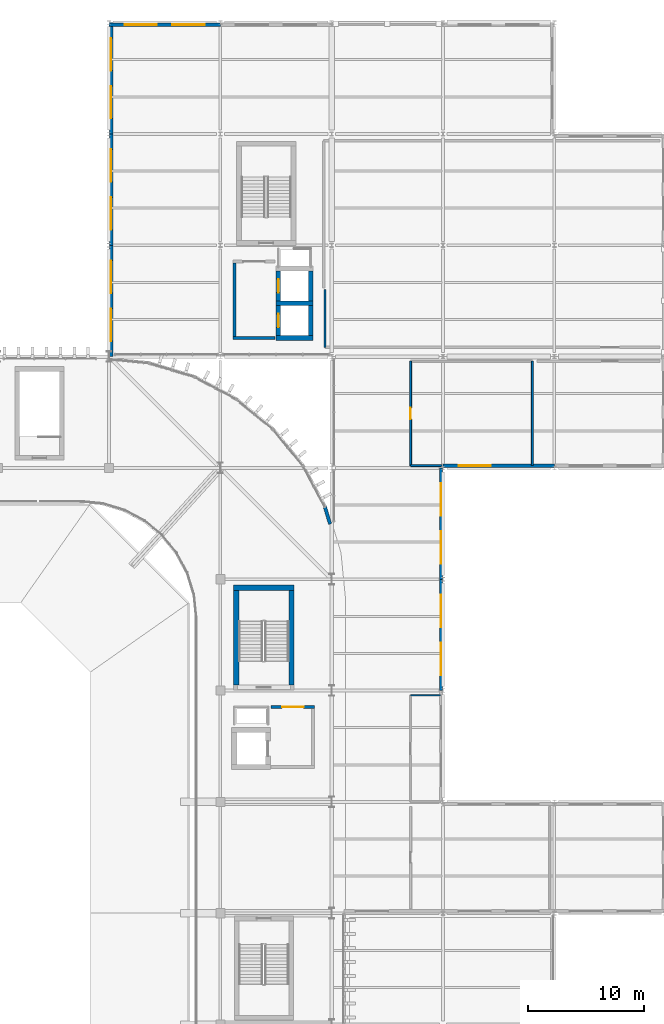
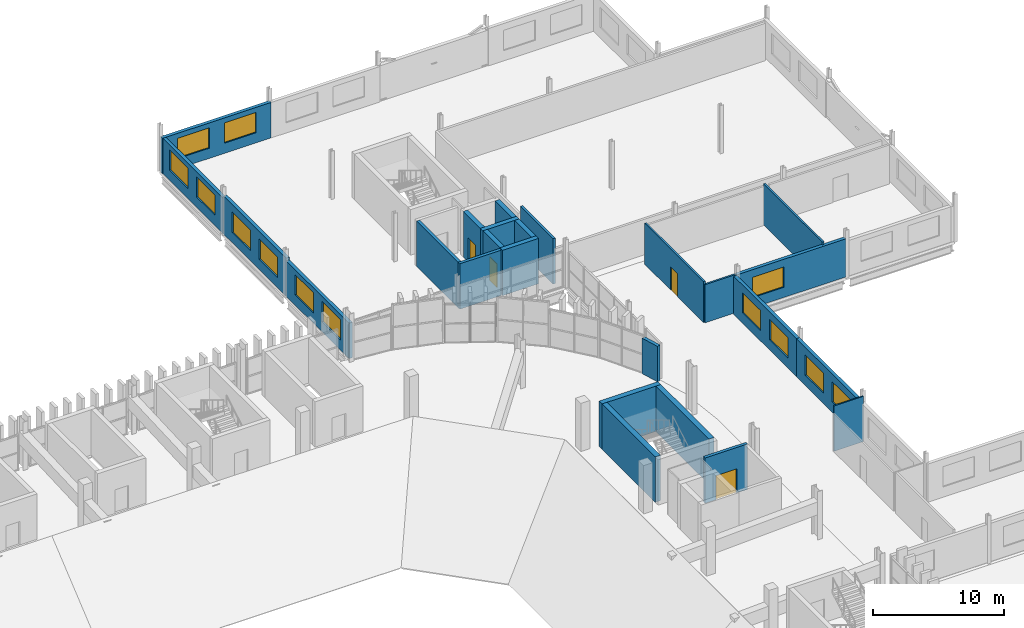
# One storey, part 45 of 69: 25 walls, 13 windows, 4 doors, 17 openings.
"""IFC4 building model written with IfcOpenShell, lengths in metres."""

from ifc_helpers import new_model, si_unit, direction, frame, frame_2d, origin, place, context, subcontext, project, spatial, rectangle, extrude, material, layer, layer_set, type_object, element, fill, save


model = new_model("IFC4")

# Units and contexts
model_context = context("Model", 3, precision=1e-05, world=origin(), true_north=direction((0.0, 1.0)))
body_context = subcontext(model_context, "Body", "Model", "MODEL_VIEW")
ifc_project = project(units=[si_unit("LENGTHUNIT", "METRE"), si_unit("AREAUNIT", "SQUARE_METRE"), si_unit("VOLUMEUNIT", "CUBIC_METRE"), si_unit("PLANEANGLEUNIT", "RADIAN"), si_unit("MASSUNIT", "GRAM", prefix="KILO")], contexts=[model_context])

# Site, building, storey
site_placement = place(None, origin())
site = spatial("IfcSite", under=ifc_project, at=site_placement, CompositionType="ELEMENT")
building_placement = place(site_placement, origin())
building = spatial("IfcBuilding", under=site, at=building_placement, Name="Caelomonte Colonnade Arena", CompositionType="ELEMENT")
storey_placement = place(building_placement, frame((0.0, 0.0, 18.60009765625)))
storey = spatial("IfcBuildingStorey", under=building, at=storey_placement, Name="L04", CompositionType="ELEMENT", Elevation=18.60009765625)

# Wall, openings, windows
ifc_material_1 = material(Name="Precast concrete C40/50", Category="concrete")
ifc_layer_1 = layer(ifc_material_1, 0.2900390625)
ifc_layer_set_1 = layer_set([ifc_layer_1], Name="Precast concrete C40/50")
wall_type_1 = type_object("IfcWallType", Name="ENV-WL-EXT29", PredefinedType="SOLIDWALL", material=ifc_layer_set_1)
wall_1_placement = place(storey_placement, frame((172.6201171875, 86.39990234375, 0.0), z_axis=(0.0, 0.0, 1.0), x_axis=(0.0, 1.0, 0.0)))
wall_1 = element("IfcWall", 1, at=wall_1_placement, inside=storey, type_object=wall_type_1, Name="L04 exterior wall EW-L04-0313", PredefinedType="SOLIDWALL", context=body_context, shape_type="SweptSolid", body=[
    extrude(rectangle(XDim=9.60009765625, YDim=0.2900390625, at=frame_2d((4.800048828125, 0.0))), origin(), (0.0, 0.0, 1.0), 3.561767578125),
])
opening_1_placement = place(wall_1_placement, frame((4.13330078125, 0.0, 0.949951171875), z_axis=(0.0, 0.0, 1.0), x_axis=(-1.0, 0.0, 0.0)))
opening_1 = element("IfcOpeningElement", 2, at=opening_1_placement, cuts=wall_1, Name="Opening WN-07", PredefinedType="OPENING", context=body_context, shape_type="SweptSolid", body=[
    extrude(rectangle(XDim=2.800048828125, YDim=1.89990234375, at=frame_2d((1.39990234375, 0.949951171875))), frame((0.0, 0.155029296875, 0.0), z_axis=(0.0, -1.0, 0.0), x_axis=(1.0, 0.0, 0.0)), (0.0, 0.0, 1.0), 0.31005859375),
])
opening_2_placement = place(wall_1_placement, frame((8.266845703125, 0.0, 0.949951171875), z_axis=(0.0, 0.0, 1.0), x_axis=(-1.0, 0.0, 0.0)))
opening_2 = element("IfcOpeningElement", 3, at=opening_2_placement, cuts=wall_1, Name="Opening WN-07", PredefinedType="OPENING", context=body_context, shape_type="SweptSolid", body=[
    extrude(rectangle(XDim=2.800048828125, YDim=1.89990234375, at=frame_2d((1.39990234375, 0.949951171875))), frame((0.0, 0.155029296875, 0.0), z_axis=(0.0, -1.0, 0.0), x_axis=(1.0, 0.0, 0.0)), (0.0, 0.0, 1.0), 0.31005859375),
])
ifc_material_2 = material(Name="Solar-control bronze low-E double glazing", Category="glass")
window_type = type_object("IfcWindowType", Name="ENV-WN-V4D", PartitioningType="DOUBLE_PANEL_VERTICAL", PredefinedType="WINDOW", material=ifc_material_2)
window_1_placement = place(opening_1_placement, origin())
window_1 = element("IfcWindow", 4, at=window_1_placement, inside=storey, type_object=window_type, Name="L04 facade window 260", OverallHeight=1.89990234375, OverallWidth=2.800048828125, PartitioningType="SINGLE_PANEL", PredefinedType="WINDOW", context=body_context, shape_type="SweptSolid", body=[
    extrude(rectangle(XDim=2.800048828125, YDim=1.89990234375, at=frame_2d((1.39990234375, 0.949951171875))), frame((0.0, 0.030029296875, 0.0), z_axis=(0.0, -1.0, 0.0), x_axis=(1.0, 0.0, 0.0)), (0.0, 0.0, 1.0), 0.06005859375),
])
fill(opening_1, window_1)
window_2_placement = place(opening_2_placement, origin())
window_2 = element("IfcWindow", 5, at=window_2_placement, inside=storey, type_object=window_type, Name="L04 facade window 261", OverallHeight=1.89990234375, OverallWidth=2.800048828125, PartitioningType="SINGLE_PANEL", PredefinedType="WINDOW", context=body_context, shape_type="SweptSolid", body=[
    extrude(rectangle(XDim=2.800048828125, YDim=1.89990234375, at=frame_2d((1.39990234375, 0.949951171875))), frame((0.0, 0.030029296875, 0.0), z_axis=(0.0, -1.0, 0.0), x_axis=(1.0, 0.0, 0.0)), (0.0, 0.0, 1.0), 0.06005859375),
])
fill(opening_2, window_2)

wall_2_placement = place(storey_placement, frame((172.6201171875, 96.0, 0.0), z_axis=(0.0, 0.0, 1.0), x_axis=(0.0, 1.0, 0.0)))
wall_2 = element("IfcWall", 6, at=wall_2_placement, inside=storey, type_object=wall_type_1, Name="L04 exterior wall EW-L04-0314", PredefinedType="SOLIDWALL", context=body_context, shape_type="SweptSolid", body=[
    extrude(rectangle(XDim=9.60009765625, YDim=0.2900390625, at=frame_2d((4.800048828125, 0.0))), origin(), (0.0, 0.0, 1.0), 3.561767578125),
])
opening_3_placement = place(wall_2_placement, frame((4.13330078125, 0.0, 0.949951171875), z_axis=(0.0, 0.0, 1.0), x_axis=(-1.0, 0.0, 0.0)))
opening_3 = element("IfcOpeningElement", 7, at=opening_3_placement, cuts=wall_2, Name="Opening WN-07", PredefinedType="OPENING", context=body_context, shape_type="SweptSolid", body=[
    extrude(rectangle(XDim=2.800048828125, YDim=1.89990234375, at=frame_2d((1.39990234375, 0.949951171875))), frame((0.0, 0.155029296875, 0.0), z_axis=(0.0, -1.0, 0.0), x_axis=(1.0, 0.0, 0.0)), (0.0, 0.0, 1.0), 0.31005859375),
])
opening_4_placement = place(wall_2_placement, frame((8.266845703125, 0.0, 0.949951171875), z_axis=(0.0, 0.0, 1.0), x_axis=(-1.0, 0.0, 0.0)))
opening_4 = element("IfcOpeningElement", 8, at=opening_4_placement, cuts=wall_2, Name="Opening WN-07", PredefinedType="OPENING", context=body_context, shape_type="SweptSolid", body=[
    extrude(rectangle(XDim=2.800048828125, YDim=1.89990234375, at=frame_2d((1.39990234375, 0.949951171875))), frame((0.0, 0.155029296875, 0.0), z_axis=(0.0, -1.0, 0.0), x_axis=(1.0, 0.0, 0.0)), (0.0, 0.0, 1.0), 0.31005859375),
])
window_3_placement = place(opening_3_placement, origin())
window_3 = element("IfcWindow", 9, at=window_3_placement, inside=storey, type_object=window_type, Name="L04 facade window 262", OverallHeight=1.89990234375, OverallWidth=2.800048828125, PartitioningType="SINGLE_PANEL", PredefinedType="WINDOW", context=body_context, shape_type="SweptSolid", body=[
    extrude(rectangle(XDim=2.800048828125, YDim=1.89990234375, at=frame_2d((1.39990234375, 0.949951171875))), frame((0.0, 0.030029296875, 0.0), z_axis=(0.0, -1.0, 0.0), x_axis=(1.0, 0.0, 0.0)), (0.0, 0.0, 1.0), 0.06005859375),
])
fill(opening_3, window_3)
window_4_placement = place(opening_4_placement, origin())
window_4 = element("IfcWindow", 10, at=window_4_placement, inside=storey, type_object=window_type, Name="L04 facade window 263", OverallHeight=1.89990234375, OverallWidth=2.800048828125, PartitioningType="SINGLE_PANEL", PredefinedType="WINDOW", context=body_context, shape_type="SweptSolid", body=[
    extrude(rectangle(XDim=2.800048828125, YDim=1.89990234375, at=frame_2d((1.39990234375, 0.949951171875))), frame((0.0, 0.030029296875, 0.0), z_axis=(0.0, -1.0, 0.0), x_axis=(1.0, 0.0, 0.0)), (0.0, 0.0, 1.0), 0.06005859375),
])
fill(opening_4, window_4)

# Wall, opening, window
wall_3_placement = place(storey_placement, frame((172.800048828125, 105.780029296875, 0.0), z_axis=(0.0, 0.0, 1.0), x_axis=(1.0, 0.0, 0.0)))
wall_3 = element("IfcWall", 11, at=wall_3_placement, inside=storey, type_object=wall_type_1, Name="L04 exterior wall EW-L04-0315", PredefinedType="SOLIDWALL", context=body_context, shape_type="SweptSolid", body=[
    extrude(rectangle(XDim=9.599853515625, YDim=0.2900390625, at=frame_2d((4.7998046875, 0.0))), origin(), (0.0, 0.0, 1.0), 3.561767578125),
])
opening_5_placement = place(wall_3_placement, frame((4.13330078125, 0.0, 0.949951171875), z_axis=(0.0, 0.0, 1.0), x_axis=(-1.0, 0.0, 0.0)))
opening_5 = element("IfcOpeningElement", 12, at=opening_5_placement, cuts=wall_3, Name="Opening WN-07", PredefinedType="OPENING", context=body_context, shape_type="SweptSolid", body=[
    extrude(rectangle(XDim=2.800048828125, YDim=1.89990234375, at=frame_2d((1.39990234375, 0.949951171875))), frame((0.0, 0.155029296875, 0.0), z_axis=(0.0, -1.0, 0.0), x_axis=(1.0, 0.0, 0.0)), (0.0, 0.0, 1.0), 0.31005859375),
])
window_5_placement = place(opening_5_placement, origin())
window_5 = element("IfcWindow", 13, at=window_5_placement, inside=storey, type_object=window_type, Name="L04 facade window 264", OverallHeight=1.89990234375, OverallWidth=2.800048828125, PartitioningType="SINGLE_PANEL", PredefinedType="WINDOW", context=body_context, shape_type="SweptSolid", body=[
    extrude(rectangle(XDim=2.800048828125, YDim=1.89990234375, at=frame_2d((1.39990234375, 0.949951171875))), frame((0.0, 0.030029296875, 0.0), z_axis=(0.0, -1.0, 0.0), x_axis=(1.0, 0.0, 0.0)), (0.0, 0.0, 1.0), 0.06005859375),
])
fill(opening_5, window_5)

# Wall, openings, windows
wall_4_placement = place(storey_placement, frame((153.60009765625, 143.820068359375, 0.0), z_axis=(0.0, 0.0, 1.0), x_axis=(-1.0, 0.0, 0.0)))
wall_4 = element("IfcWall", 14, at=wall_4_placement, inside=storey, type_object=wall_type_1, Name="L04 exterior wall EW-L04-0325", PredefinedType="SOLIDWALL", context=body_context, shape_type="SweptSolid", body=[
    extrude(rectangle(XDim=9.60009765625, YDim=0.2900390625, at=frame_2d((4.800048828125, 0.0))), origin(), (0.0, 0.0, 1.0), 3.312744140625),
])
opening_6_placement = place(wall_4_placement, frame((4.13330078125, 0.0, 0.949951171875), z_axis=(0.0, 0.0, 1.0), x_axis=(-1.0, 0.0, 0.0)))
opening_6 = element("IfcOpeningElement", 15, at=opening_6_placement, cuts=wall_4, Name="Opening WN-07", PredefinedType="OPENING", context=body_context, shape_type="SweptSolid", body=[
    extrude(rectangle(XDim=2.800048828125, YDim=1.89990234375, at=frame_2d((1.39990234375, 0.949951171875))), frame((0.0, 0.155029296875, 0.0), z_axis=(0.0, -1.0, 0.0), x_axis=(1.0, 0.0, 0.0)), (0.0, 0.0, 1.0), 0.31005859375),
])
opening_7_placement = place(wall_4_placement, frame((8.266845703125, 0.0, 0.949951171875), z_axis=(0.0, 0.0, 1.0), x_axis=(-1.0, 0.0, 0.0)))
opening_7 = element("IfcOpeningElement", 16, at=opening_7_placement, cuts=wall_4, Name="Opening WN-07", PredefinedType="OPENING", context=body_context, shape_type="SweptSolid", body=[
    extrude(rectangle(XDim=2.800048828125, YDim=1.89990234375, at=frame_2d((1.39990234375, 0.949951171875))), frame((0.0, 0.155029296875, 0.0), z_axis=(0.0, -1.0, 0.0), x_axis=(1.0, 0.0, 0.0)), (0.0, 0.0, 1.0), 0.31005859375),
])
window_6_placement = place(opening_6_placement, origin())
window_6 = element("IfcWindow", 17, at=window_6_placement, inside=storey, type_object=window_type, Name="L04 facade window 279", OverallHeight=1.89990234375, OverallWidth=2.800048828125, PartitioningType="SINGLE_PANEL", PredefinedType="WINDOW", context=body_context, shape_type="SweptSolid", body=[
    extrude(rectangle(XDim=2.800048828125, YDim=1.89990234375, at=frame_2d((1.39990234375, 0.949951171875))), frame((0.0, 0.030029296875, 0.0), z_axis=(0.0, -1.0, 0.0), x_axis=(1.0, 0.0, 0.0)), (0.0, 0.0, 1.0), 0.06005859375),
])
fill(opening_6, window_6)
window_7_placement = place(opening_7_placement, origin())
window_7 = element("IfcWindow", 18, at=window_7_placement, inside=storey, type_object=window_type, Name="L04 facade window 280", OverallHeight=1.89990234375, OverallWidth=2.800048828125, PartitioningType="SINGLE_PANEL", PredefinedType="WINDOW", context=body_context, shape_type="SweptSolid", body=[
    extrude(rectangle(XDim=2.800048828125, YDim=1.89990234375, at=frame_2d((1.39990234375, 0.949951171875))), frame((0.0, 0.030029296875, 0.0), z_axis=(0.0, -1.0, 0.0), x_axis=(1.0, 0.0, 0.0)), (0.0, 0.0, 1.0), 0.06005859375),
])
fill(opening_7, window_7)

wall_5_placement = place(storey_placement, frame((144.179931640625, 144.0, 0.0), z_axis=(0.0, 0.0, 1.0), x_axis=(0.0, -1.0, 0.0)))
wall_5 = element("IfcWall", 19, at=wall_5_placement, inside=storey, type_object=wall_type_1, Name="L04 exterior wall EW-L04-0326", PredefinedType="SOLIDWALL", context=body_context, shape_type="SweptSolid", body=[
    extrude(rectangle(XDim=9.60009765625, YDim=0.2900390625, at=frame_2d((4.800048828125, 0.0))), origin(), (0.0, 0.0, 1.0), 3.312744140625),
])
opening_8_placement = place(wall_5_placement, frame((4.13330078125, 0.0, 0.949951171875), z_axis=(0.0, 0.0, 1.0), x_axis=(-1.0, 0.0, 0.0)))
opening_8 = element("IfcOpeningElement", 20, at=opening_8_placement, cuts=wall_5, Name="Opening WN-07", PredefinedType="OPENING", context=body_context, shape_type="SweptSolid", body=[
    extrude(rectangle(XDim=2.800048828125, YDim=1.89990234375, at=frame_2d((1.39990234375, 0.949951171875))), frame((0.0, 0.155029296875, 0.0), z_axis=(0.0, -1.0, 0.0), x_axis=(1.0, 0.0, 0.0)), (0.0, 0.0, 1.0), 0.31005859375),
])
opening_9_placement = place(wall_5_placement, frame((8.266845703125, 0.0, 0.949951171875), z_axis=(0.0, 0.0, 1.0), x_axis=(-1.0, 0.0, 0.0)))
opening_9 = element("IfcOpeningElement", 21, at=opening_9_placement, cuts=wall_5, Name="Opening WN-07", PredefinedType="OPENING", context=body_context, shape_type="SweptSolid", body=[
    extrude(rectangle(XDim=2.800048828125, YDim=1.89990234375, at=frame_2d((1.39990234375, 0.949951171875))), frame((0.0, 0.155029296875, 0.0), z_axis=(0.0, -1.0, 0.0), x_axis=(1.0, 0.0, 0.0)), (0.0, 0.0, 1.0), 0.31005859375),
])
window_8_placement = place(opening_8_placement, origin())
window_8 = element("IfcWindow", 22, at=window_8_placement, inside=storey, type_object=window_type, Name="L04 facade window 281", OverallHeight=1.89990234375, OverallWidth=2.800048828125, PartitioningType="SINGLE_PANEL", PredefinedType="WINDOW", context=body_context, shape_type="SweptSolid", body=[
    extrude(rectangle(XDim=2.800048828125, YDim=1.89990234375, at=frame_2d((1.39990234375, 0.949951171875))), frame((0.0, 0.030029296875, 0.0), z_axis=(0.0, -1.0, 0.0), x_axis=(1.0, 0.0, 0.0)), (0.0, 0.0, 1.0), 0.06005859375),
])
fill(opening_8, window_8)
window_9_placement = place(opening_9_placement, origin())
window_9 = element("IfcWindow", 23, at=window_9_placement, inside=storey, type_object=window_type, Name="L04 facade window 282", OverallHeight=1.89990234375, OverallWidth=2.800048828125, PartitioningType="SINGLE_PANEL", PredefinedType="WINDOW", context=body_context, shape_type="SweptSolid", body=[
    extrude(rectangle(XDim=2.800048828125, YDim=1.89990234375, at=frame_2d((1.39990234375, 0.949951171875))), frame((0.0, 0.030029296875, 0.0), z_axis=(0.0, -1.0, 0.0), x_axis=(1.0, 0.0, 0.0)), (0.0, 0.0, 1.0), 0.06005859375),
])
fill(opening_9, window_9)

wall_6_placement = place(storey_placement, frame((144.179931640625, 134.39990234375, 0.0), z_axis=(0.0, 0.0, 1.0), x_axis=(0.0, -1.0, 0.0)))
wall_6 = element("IfcWall", 24, at=wall_6_placement, inside=storey, type_object=wall_type_1, Name="L04 exterior wall EW-L04-0327", PredefinedType="SOLIDWALL", context=body_context, shape_type="SweptSolid", body=[
    extrude(rectangle(XDim=9.599853515625, YDim=0.2900390625, at=frame_2d((4.7998046875, 0.0))), origin(), (0.0, 0.0, 1.0), 3.561767578125),
])
opening_10_placement = place(wall_6_placement, frame((4.13330078125, 0.0, 0.949951171875), z_axis=(0.0, 0.0, 1.0), x_axis=(-1.0, 0.0, 0.0)))
opening_10 = element("IfcOpeningElement", 25, at=opening_10_placement, cuts=wall_6, Name="Opening WN-07", PredefinedType="OPENING", context=body_context, shape_type="SweptSolid", body=[
    extrude(rectangle(XDim=2.800048828125, YDim=1.89990234375, at=frame_2d((1.39990234375, 0.949951171875))), frame((0.0, 0.155029296875, 0.0), z_axis=(0.0, -1.0, 0.0), x_axis=(1.0, 0.0, 0.0)), (0.0, 0.0, 1.0), 0.31005859375),
])
opening_11_placement = place(wall_6_placement, frame((8.266845703125, 0.0, 0.949951171875), z_axis=(0.0, 0.0, 1.0), x_axis=(-1.0, 0.0, 0.0)))
opening_11 = element("IfcOpeningElement", 26, at=opening_11_placement, cuts=wall_6, Name="Opening WN-07", PredefinedType="OPENING", context=body_context, shape_type="SweptSolid", body=[
    extrude(rectangle(XDim=2.800048828125, YDim=1.89990234375, at=frame_2d((1.39990234375, 0.949951171875))), frame((0.0, 0.155029296875, 0.0), z_axis=(0.0, -1.0, 0.0), x_axis=(1.0, 0.0, 0.0)), (0.0, 0.0, 1.0), 0.31005859375),
])
window_10_placement = place(opening_10_placement, origin())
window_10 = element("IfcWindow", 27, at=window_10_placement, inside=storey, type_object=window_type, Name="L04 facade window 283", OverallHeight=1.89990234375, OverallWidth=2.800048828125, PartitioningType="SINGLE_PANEL", PredefinedType="WINDOW", context=body_context, shape_type="SweptSolid", body=[
    extrude(rectangle(XDim=2.800048828125, YDim=1.89990234375, at=frame_2d((1.39990234375, 0.949951171875))), frame((0.0, 0.030029296875, 0.0), z_axis=(0.0, -1.0, 0.0), x_axis=(1.0, 0.0, 0.0)), (0.0, 0.0, 1.0), 0.06005859375),
])
fill(opening_10, window_10)
window_11_placement = place(opening_11_placement, origin())
window_11 = element("IfcWindow", 28, at=window_11_placement, inside=storey, type_object=window_type, Name="L04 facade window 284", OverallHeight=1.89990234375, OverallWidth=2.800048828125, PartitioningType="SINGLE_PANEL", PredefinedType="WINDOW", context=body_context, shape_type="SweptSolid", body=[
    extrude(rectangle(XDim=2.800048828125, YDim=1.89990234375, at=frame_2d((1.39990234375, 0.949951171875))), frame((0.0, 0.030029296875, 0.0), z_axis=(0.0, -1.0, 0.0), x_axis=(1.0, 0.0, 0.0)), (0.0, 0.0, 1.0), 0.06005859375),
])
fill(opening_11, window_11)

wall_7_placement = place(storey_placement, frame((144.179931640625, 124.800048828125, 0.0), z_axis=(0.0, 0.0, 1.0), x_axis=(0.0, -1.0, 0.0)))
wall_7 = element("IfcWall", 29, at=wall_7_placement, inside=storey, type_object=wall_type_1, Name="L04 exterior wall EW-L04-0328", PredefinedType="SOLIDWALL", context=body_context, shape_type="SweptSolid", body=[
    extrude(rectangle(XDim=9.60009765625, YDim=0.2900390625, at=frame_2d((4.800048828125, 0.0))), origin(), (0.0, 0.0, 1.0), 3.312744140625),
])
opening_12_placement = place(wall_7_placement, frame((4.13330078125, 0.0, 0.949951171875), z_axis=(0.0, 0.0, 1.0), x_axis=(-1.0, 0.0, 0.0)))
opening_12 = element("IfcOpeningElement", 30, at=opening_12_placement, cuts=wall_7, Name="Opening WN-07", PredefinedType="OPENING", context=body_context, shape_type="SweptSolid", body=[
    extrude(rectangle(XDim=2.800048828125, YDim=1.89990234375, at=frame_2d((1.39990234375, 0.949951171875))), frame((0.0, 0.155029296875, 0.0), z_axis=(0.0, -1.0, 0.0), x_axis=(1.0, 0.0, 0.0)), (0.0, 0.0, 1.0), 0.31005859375),
])
opening_13_placement = place(wall_7_placement, frame((8.266845703125, 0.0, 0.949951171875), z_axis=(0.0, 0.0, 1.0), x_axis=(-1.0, 0.0, 0.0)))
opening_13 = element("IfcOpeningElement", 31, at=opening_13_placement, cuts=wall_7, Name="Opening WN-07", PredefinedType="OPENING", context=body_context, shape_type="SweptSolid", body=[
    extrude(rectangle(XDim=2.800048828125, YDim=1.89990234375, at=frame_2d((1.39990234375, 0.949951171875))), frame((0.0, 0.155029296875, 0.0), z_axis=(0.0, -1.0, 0.0), x_axis=(1.0, 0.0, 0.0)), (0.0, 0.0, 1.0), 0.31005859375),
])
window_12_placement = place(opening_12_placement, origin())
window_12 = element("IfcWindow", 32, at=window_12_placement, inside=storey, type_object=window_type, Name="L04 facade window 285", OverallHeight=1.89990234375, OverallWidth=2.800048828125, PartitioningType="SINGLE_PANEL", PredefinedType="WINDOW", context=body_context, shape_type="SweptSolid", body=[
    extrude(rectangle(XDim=2.800048828125, YDim=1.89990234375, at=frame_2d((1.39990234375, 0.949951171875))), frame((0.0, 0.030029296875, 0.0), z_axis=(0.0, -1.0, 0.0), x_axis=(1.0, 0.0, 0.0)), (0.0, 0.0, 1.0), 0.06005859375),
])
fill(opening_12, window_12)
window_13_placement = place(opening_13_placement, origin())
window_13 = element("IfcWindow", 33, at=window_13_placement, inside=storey, type_object=window_type, Name="L04 facade window 286", OverallHeight=1.89990234375, OverallWidth=2.800048828125, PartitioningType="SINGLE_PANEL", PredefinedType="WINDOW", context=body_context, shape_type="SweptSolid", body=[
    extrude(rectangle(XDim=2.800048828125, YDim=1.89990234375, at=frame_2d((1.39990234375, 0.949951171875))), frame((0.0, 0.030029296875, 0.0), z_axis=(0.0, -1.0, 0.0), x_axis=(1.0, 0.0, 0.0)), (0.0, 0.0, 1.0), 0.06005859375),
])
fill(opening_13, window_13)

# Wall
wall_8_placement = place(storey_placement, frame((163.06201171875, 100.75732421875, 0.0), z_axis=(0.0, 0.0, 1.0), x_axis=(-0.290196653702, 0.956967032964, 0.0)))
element("IfcWall", 34, at=wall_8_placement, inside=storey, type_object=wall_type_1, Name="L04 exterior wall EW-L04-0329", PredefinedType="SOLIDWALL", context=body_context, shape_type="SweptSolid", body=[
    extrude(rectangle(XDim=1.611083984375, YDim=0.2900390625, at=frame_2d((0.8056640625, 0.0))), origin(), (0.0, 0.0, 1.0), 3.312744140625),
])

# Wall, opening, door
ifc_material_3 = material(Name="Concrete C40/50", Category="concrete")
ifc_layer_2 = layer(ifc_material_3, 0.260009765625)
ifc_layer_set_2 = layer_set([ifc_layer_2], Name="Concrete C40/50")
wall_type_2 = type_object("IfcWallType", Name="INT-WL-FW26", PredefinedType="SOLIDWALL", material=ifc_layer_set_2)
wall_9_placement = place(storey_placement, frame((161.72998046875, 85.0, 0.0), z_axis=(0.0, 0.0, 1.0), x_axis=(-1.0, 0.0, 0.0)))
wall_9 = element("IfcWall", 35, at=wall_9_placement, inside=storey, type_object=wall_type_2, Name="FW-C3-LB L04 north enclosure wall", PredefinedType="SOLIDWALL", context=body_context, shape_type="SweptSolid", body=[
    extrude(rectangle(XDim=3.760009765625, YDim=0.260009765625, at=frame_2d((1.8798828125, 0.0))), origin(), (0.0, 0.0, 1.0), 4.239990234375),
])
opening_14_placement = place(wall_9_placement, frame((2.80517578125, 0.0, 0.0), z_axis=(0.0, 0.0, 1.0), x_axis=(-1.0, 0.0, 0.0)))
opening_14 = element("IfcOpeningElement", 36, at=opening_14_placement, cuts=wall_9, Name="Opening FD-2", PredefinedType="OPENING", context=body_context, shape_type="SweptSolid", body=[
    extrude(rectangle(XDim=1.85009765625, YDim=2.25, at=frame_2d((0.925048828125, 1.125))), frame((0.0, 0.139892578125, 0.0), z_axis=(0.0, -1.0, 0.0), x_axis=(1.0, 0.0, 0.0)), (0.0, 0.0, 1.0), 0.280029296875),
])
ifc_material_4 = material(Name="Fire-rated double steel door", Category="steel")
door_type_1 = type_object("IfcDoorType", Name="INT-DR-FD90B", OperationType="DOUBLE_DOOR_SINGLE_SWING", PredefinedType="DOOR", material=ifc_material_4)
door_1_placement = place(opening_14_placement, origin())
door_1 = element("IfcDoor", 37, at=door_1_placement, inside=storey, type_object=door_type_1, Name="Core C3 L04 lobby fire door", OperationType="DOUBLE_DOOR_SINGLE_SWING", OverallHeight=2.25, OverallWidth=1.85009765625, PredefinedType="DOOR", context=body_context, shape_type="SweptSolid", body=[
    extrude(rectangle(XDim=1.85009765625, YDim=2.25, at=frame_2d((0.925048828125, 1.125))), frame((0.0, 0.02490234375, 0.0), z_axis=(0.0, -1.0, 0.0), x_axis=(1.0, 0.0, 0.0)), (0.0, 0.0, 1.0), 0.050048828125),
])
fill(opening_14, door_1)

# Walls
wall_10_placement = place(storey_placement, frame((154.669921875, 116.800048828125, 0.0), z_axis=(0.0, 0.0, 1.0), x_axis=(1.0, 0.0, 0.0)))
element("IfcWall", 38, at=wall_10_placement, inside=storey, type_object=wall_type_2, Name="FW-C6-LB L04 south enclosure wall", PredefinedType="SOLIDWALL", context=body_context, shape_type="SweptSolid", body=[
    extrude(rectangle(XDim=3.66015625, YDim=0.260009765625, at=frame_2d((1.830078125, 0.0))), origin(), (0.0, 0.0, 1.0), 4.239990234375),
])
wall_11_placement = place(storey_placement, frame((154.800048828125, 123.27001953125, 0.0), z_axis=(0.0, 0.0, 1.0), x_axis=(0.0, -1.0, 0.0)))
element("IfcWall", 39, at=wall_11_placement, inside=storey, type_object=wall_type_2, Name="FW-C6-LB L04 west enclosure wall", PredefinedType="SOLIDWALL", context=body_context, shape_type="SweptSolid", body=[
    extrude(rectangle(XDim=6.340087890625, YDim=0.260009765625, at=frame_2d((3.169921875, 0.0))), origin(), (0.0, 0.0, 1.0), 4.239990234375),
])
ifc_material_5 = material(Name="Office gypsum stud partition")
ifc_layer_3 = layer(ifc_material_5, 0.1201171875)
ifc_layer_set_3 = layer_set([ifc_layer_3], Name="Office gypsum stud partition")
wall_type_3 = type_object("IfcWallType", Name="INT-WL-PT12", PredefinedType="PARTITIONING", material=ifc_layer_set_3)
wall_12_placement = place(storey_placement, frame((170.0, 86.0, 0.0), z_axis=(0.0, 0.0, 1.0), x_axis=(1.0, 0.0, 0.0)))
element("IfcWall", 40, at=wall_12_placement, inside=storey, type_object=wall_type_3, Name="L04 Upper Concession Kiosk partition 253", PredefinedType="PARTITIONING", context=body_context, shape_type="SweptSolid", body=[
    extrude(rectangle(XDim=2.580078125, YDim=0.1201171875, at=frame_2d((1.2900390625, 0.0))), origin(), (0.0, 0.0, 1.0), 4.239990234375),
])
ifc_material_6 = material(Name="Moisture-resistant WC partition")
ifc_layer_4 = layer(ifc_material_6, 0.159912109375)
ifc_layer_set_4 = layer_set([ifc_layer_4], Name="Moisture-resistant WC partition")
wall_type_4 = type_object("IfcWallType", Name="INT-WL-PT16", PredefinedType="PARTITIONING", material=ifc_layer_set_4)
wall_13_placement = place(storey_placement, frame((172.708984375, 105.800048828125, 0.0), z_axis=(0.0, 0.0, 1.0), x_axis=(-1.0, 0.0, 0.0)))
element("IfcWall", 41, at=wall_13_placement, inside=storey, type_object=wall_type_4, Name="L04 Upper Concourse Accessible WC partition 247", PredefinedType="PARTITIONING", context=body_context, shape_type="SweptSolid", body=[
    extrude(rectangle(XDim=2.708984375, YDim=0.159912109375, at=frame_2d((1.3544921875, 0.0))), origin(), (0.0, 0.0, 1.0), 3.561767578125),
])

# Wall, opening, door
wall_14_placement = place(storey_placement, frame((170.0, 105.800048828125, 0.0), z_axis=(0.0, 0.0, 1.0), x_axis=(0.0, 1.0, 0.0)))
wall_14 = element("IfcWall", 42, at=wall_14_placement, inside=storey, type_object=wall_type_4, Name="L04 Upper Concourse Accessible WC partition 248", PredefinedType="PARTITIONING", context=body_context, shape_type="SweptSolid", body=[
    extrude(rectangle(XDim=9.0, YDim=0.159912109375, at=frame_2d((4.5, 0.0))), origin(), (0.0, 0.0, 1.0), 3.8359375),
])
opening_15_placement = place(wall_14_placement, frame((3.989990234375, 0.0, 0.0), z_axis=(0.0, 0.0, 1.0), x_axis=(1.0, 0.0, 0.0)))
opening_15 = element("IfcOpeningElement", 43, at=opening_15_placement, cuts=wall_14, Name="Opening D-L04-068", PredefinedType="OPENING", context=body_context, shape_type="SweptSolid", body=[
    extrude(rectangle(XDim=1.02001953125, YDim=2.14990234375, at=frame_2d((0.510009765625, 1.074951171875))), frame((0.0, 0.08984375, 0.0), z_axis=(0.0, -1.0, 0.0), x_axis=(1.0, 0.0, 0.0)), (0.0, 0.0, 1.0), 0.179931640625),
])
ifc_material_7 = material(Name="Accessible WC outward-swing door")
door_type_2 = type_object("IfcDoorType", Name="INT-DR-AWC", OperationType="NOTDEFINED", PredefinedType="DOOR", material=ifc_material_7)
door_2_placement = place(opening_15_placement, origin())
door_2 = element("IfcDoor", 44, at=door_2_placement, inside=storey, type_object=door_type_2, Name="L04 Upper Concourse Accessible WC door D-L04-068", OperationType="SINGLE_SWING_RIGHT", OverallHeight=2.14990234375, OverallWidth=1.02001953125, PredefinedType="DOOR", context=body_context, shape_type="SweptSolid", body=[
    extrude(rectangle(XDim=1.02001953125, YDim=2.14990234375, at=frame_2d((0.510009765625, 1.074951171875))), frame((0.0, 0.02490234375, 0.0), z_axis=(0.0, -1.0, 0.0), x_axis=(1.0, 0.0, 0.0)), (0.0, 0.0, 1.0), 0.050048828125),
])
fill(opening_15, door_2)

# Walls
wall_15_placement = place(storey_placement, frame((180.5, 114.800048828125, 0.0), z_axis=(0.0, 0.0, 1.0), x_axis=(0.0, -1.0, 0.0)))
element("IfcWall", 45, at=wall_15_placement, inside=storey, type_object=wall_type_4, Name="L04 Upper Concourse Accessible WC partition 250", PredefinedType="PARTITIONING", context=body_context, shape_type="SweptSolid", body=[
    extrude(rectangle(XDim=8.97998046875, YDim=0.159912109375, at=frame_2d((4.489990234375, 0.0))), origin(), (0.0, 0.0, 1.0), 3.8359375),
])
ifc_material_8 = material(Name="Fire-rated gypsum stud partition")
ifc_layer_5 = layer(ifc_material_8, 0.199951171875)
ifc_layer_set_5 = layer_set([ifc_layer_5], Name="Fire-rated gypsum stud partition")
wall_type_5 = type_object("IfcWallType", Name="INT-WL-PT20", PredefinedType="PARTITIONING", material=ifc_layer_set_5)
wall_16_placement = place(storey_placement, frame((162.6201171875, 116.0, 0.0), z_axis=(0.0, 0.0, 1.0), x_axis=(0.0, 1.0, 0.0)))
element("IfcWall", 46, at=wall_16_placement, inside=storey, type_object=wall_type_5, Name="L04 Upper Courtyard Fan Lounge partition 243", PredefinedType="PARTITIONING", context=body_context, shape_type="SweptSolid", body=[
    extrude(rectangle(XDim=5.0, YDim=0.199951171875, at=frame_2d((2.5, 0.0))), origin(), (0.0, 0.0, 1.0), 4.239990234375),
])
ifc_material_9 = material(Name="Concrete C50/60", Category="concrete")
ifc_layer_6 = layer(ifc_material_9, 0.39990234375)
ifc_layer_set_6 = layer_set([ifc_layer_6], Name="Concrete C50/60")
wall_type_6 = type_object("IfcWallType", Name="INT-WL-SH40", PredefinedType="SHEAR", material=ifc_layer_set_6)
for number, where, z_axis, x_axis, name in (
    (47, (158.39990234375, 116.800048828125, 0.0), (0.0, 0.0, 1.0), (1.0, 0.0, 0.0), "CW-C6-LF L04 south enclosure wall"),
    (48, (161.60009765625, 119.800048828125, 0.0), (0.0, 0.0, 1.0), (-1.0, 0.0, 0.0), "CW-C6-LF L04 north enclosure wall"),
):
    element("IfcWall", number, at=place(storey_placement, frame(where, z_axis=z_axis, x_axis=x_axis)), inside=storey, type_object=wall_type_6, Name=name, PredefinedType="SHEAR", context=body_context, shape_type="SweptSolid", body=[
        extrude(rectangle(XDim=3.2001953125, YDim=0.39990234375, at=frame_2d((1.60009765625, 0.0))), origin(), (0.0, 0.0, 1.0), 4.239990234375),
    ])

# Wall, opening, door
wall_17_placement = place(storey_placement, frame((158.60009765625, 119.60009765625, 0.0), z_axis=(0.0, 0.0, 1.0), x_axis=(0.0, -1.0, 0.0)))
wall_17 = element("IfcWall", 49, at=wall_17_placement, inside=storey, type_object=wall_type_6, Name="CW-C6-LF L04 west enclosure wall", PredefinedType="SHEAR", context=body_context, shape_type="SweptSolid", body=[
    extrude(rectangle(XDim=2.60009765625, YDim=0.39990234375, at=frame_2d((1.300048828125, 0.0))), origin(), (0.0, 0.0, 1.0), 4.239990234375),
])
opening_16_placement = place(wall_17_placement, frame((0.72509765625, 0.0, 0.0), z_axis=(0.0, 0.0, 1.0), x_axis=(1.0, 0.0, 0.0)))
opening_16 = element("IfcOpeningElement", 50, at=opening_16_placement, cuts=wall_17, Name="Opening LD-LF-03-L04", PredefinedType="OPENING", context=body_context, shape_type="SweptSolid", body=[
    extrude(rectangle(XDim=1.14990234375, YDim=2.199951171875, at=frame_2d((0.574951171875, 1.10009765625))), frame((0.0, 0.2099609375, 0.0), z_axis=(0.0, -1.0, 0.0), x_axis=(1.0, 0.0, 0.0)), (0.0, 0.0, 1.0), 0.419921875),
])
ifc_material_10 = material(Name="Stainless steel lift landing door", Category="steel")
door_type_3 = type_object("IfcDoorType", Name="INT-DR-LD1", OperationType="SLIDING_TO_LEFT", PredefinedType="DOOR", material=ifc_material_10)
door_3_placement = place(opening_16_placement, origin())
door_3 = element("IfcDoor", 51, at=door_3_placement, inside=storey, type_object=door_type_3, Name="Lift LF-03 L04 sliding landing door", OperationType="SLIDING_TO_LEFT", OverallHeight=2.199951171875, OverallWidth=1.14990234375, PredefinedType="DOOR", context=body_context, shape_type="SweptSolid", body=[
    extrude(rectangle(XDim=1.14990234375, YDim=2.199951171875, at=frame_2d((0.574951171875, 1.10009765625))), frame((0.0, 0.02490234375, 0.0), z_axis=(0.0, -1.0, 0.0), x_axis=(1.0, 0.0, 0.0)), (0.0, 0.0, 1.0), 0.050048828125),
])
fill(opening_16, door_3)

# Wall
wall_18_placement = place(storey_placement, frame((161.39990234375, 117.0, 0.0), z_axis=(0.0, 0.0, 1.0), x_axis=(0.0, 1.0, 0.0)))
element("IfcWall", 52, at=wall_18_placement, inside=storey, type_object=wall_type_6, Name="CW-C6-LF L04 east enclosure wall", PredefinedType="SHEAR", context=body_context, shape_type="SweptSolid", body=[
    extrude(rectangle(XDim=2.60009765625, YDim=0.39990234375, at=frame_2d((1.300048828125, 0.0))), origin(), (0.0, 0.0, 1.0), 4.239990234375),
])

# Wall, opening, door
wall_19_placement = place(storey_placement, frame((158.60009765625, 122.60009765625, 0.0), z_axis=(0.0, 0.0, 1.0), x_axis=(0.0, -1.0, 0.0)))
wall_19 = element("IfcWall", 53, at=wall_19_placement, inside=storey, type_object=wall_type_6, Name="CW-C6-LF2 L04 west enclosure wall", PredefinedType="SHEAR", context=body_context, shape_type="SweptSolid", body=[
    extrude(rectangle(XDim=2.60009765625, YDim=0.39990234375, at=frame_2d((1.300048828125, 0.0))), origin(), (0.0, 0.0, 1.0), 4.239990234375),
])
opening_17_placement = place(wall_19_placement, frame((0.72509765625, 0.0, 0.0), z_axis=(0.0, 0.0, 1.0), x_axis=(1.0, 0.0, 0.0)))
opening_17 = element("IfcOpeningElement", 54, at=opening_17_placement, cuts=wall_19, Name="Opening LD-LF-04-L04", PredefinedType="OPENING", context=body_context, shape_type="SweptSolid", body=[
    extrude(rectangle(XDim=1.14990234375, YDim=2.199951171875, at=frame_2d((0.574951171875, 1.10009765625))), frame((0.0, 0.2099609375, 0.0), z_axis=(0.0, -1.0, 0.0), x_axis=(1.0, 0.0, 0.0)), (0.0, 0.0, 1.0), 0.419921875),
])
door_4_placement = place(opening_17_placement, origin())
door_4 = element("IfcDoor", 55, at=door_4_placement, inside=storey, type_object=door_type_3, Name="Lift LF-04 L04 sliding landing door", OperationType="SLIDING_TO_LEFT", OverallHeight=2.199951171875, OverallWidth=1.14990234375, PredefinedType="DOOR", context=body_context, shape_type="SweptSolid", body=[
    extrude(rectangle(XDim=1.14990234375, YDim=2.199951171875, at=frame_2d((0.574951171875, 1.10009765625))), frame((0.0, 0.02490234375, 0.0), z_axis=(0.0, -1.0, 0.0), x_axis=(1.0, 0.0, 0.0)), (0.0, 0.0, 1.0), 0.050048828125),
])
fill(opening_17, door_4)

# Walls
wall_20_placement = place(storey_placement, frame((161.39990234375, 120.0, 0.0), z_axis=(0.0, 0.0, 1.0), x_axis=(0.0, 1.0, 0.0)))
element("IfcWall", 56, at=wall_20_placement, inside=storey, type_object=wall_type_6, Name="CW-C6-LF2 L04 east enclosure wall", PredefinedType="SHEAR", context=body_context, shape_type="SweptSolid", body=[
    extrude(rectangle(XDim=2.60009765625, YDim=0.39990234375, at=frame_2d((1.300048828125, 0.0))), origin(), (0.0, 0.0, 1.0), 4.239990234375),
])
ifc_layer_7 = layer(ifc_material_9, 0.449951171875)
ifc_layer_set_7 = layer_set([ifc_layer_7], Name="Concrete C50/60")
wall_type_7 = type_object("IfcWallType", Name="INT-WL-SH45", PredefinedType="SHEAR", material=ifc_layer_set_7)
wall_21_placement = place(storey_placement, frame((159.949951171875, 95.27490234375, 0.0), z_axis=(0.0, 0.0, 1.0), x_axis=(-1.0, 0.0, 0.0)))
element("IfcWall", 57, at=wall_21_placement, inside=storey, type_object=wall_type_7, Name="CW-C3-ST L04 north enclosure wall", PredefinedType="SHEAR", context=body_context, shape_type="SweptSolid", body=[
    extrude(rectangle(XDim=5.199951171875, YDim=0.449951171875, at=frame_2d((2.60009765625, 0.0))), origin(), (0.0, 0.0, 1.0), 4.239990234375),
])
for number, where, z_axis, x_axis, name in (
    (58, (154.97509765625, 95.050048828125, 0.0), (0.0, 0.0, 1.0), (0.0, -1.0, 0.0), "CW-C3-ST L04 west enclosure wall"),
    (59, (159.72509765625, 86.89990234375, 0.0), (0.0, 0.0, 1.0), (0.0, 1.0, 0.0), "CW-C3-ST L04 east enclosure wall"),
):
    element("IfcWall", number, at=place(storey_placement, frame(where, z_axis=z_axis, x_axis=x_axis)), inside=storey, type_object=wall_type_7, Name=name, PredefinedType="SHEAR", context=body_context, shape_type="SweptSolid", body=[
        extrude(rectangle(XDim=8.150146484375, YDim=0.449951171875, at=frame_2d((4.0751953125, 0.0))), origin(), (0.0, 0.0, 1.0), 4.239990234375),
    ])

save(model, "model.ifc")
